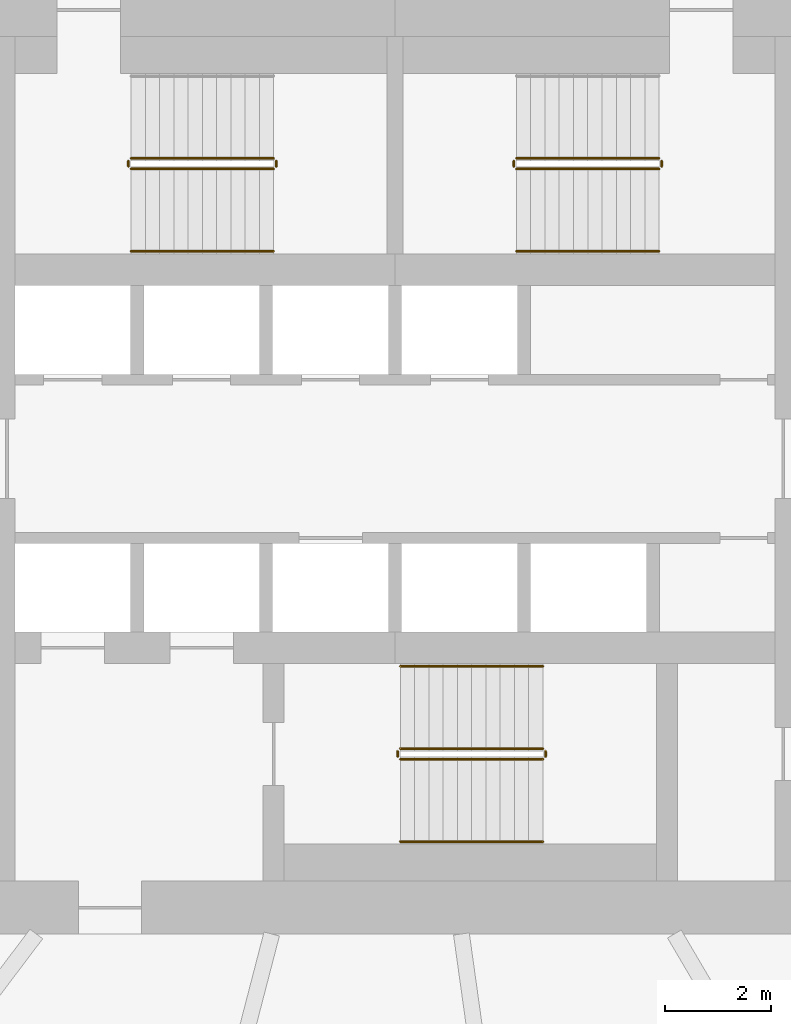
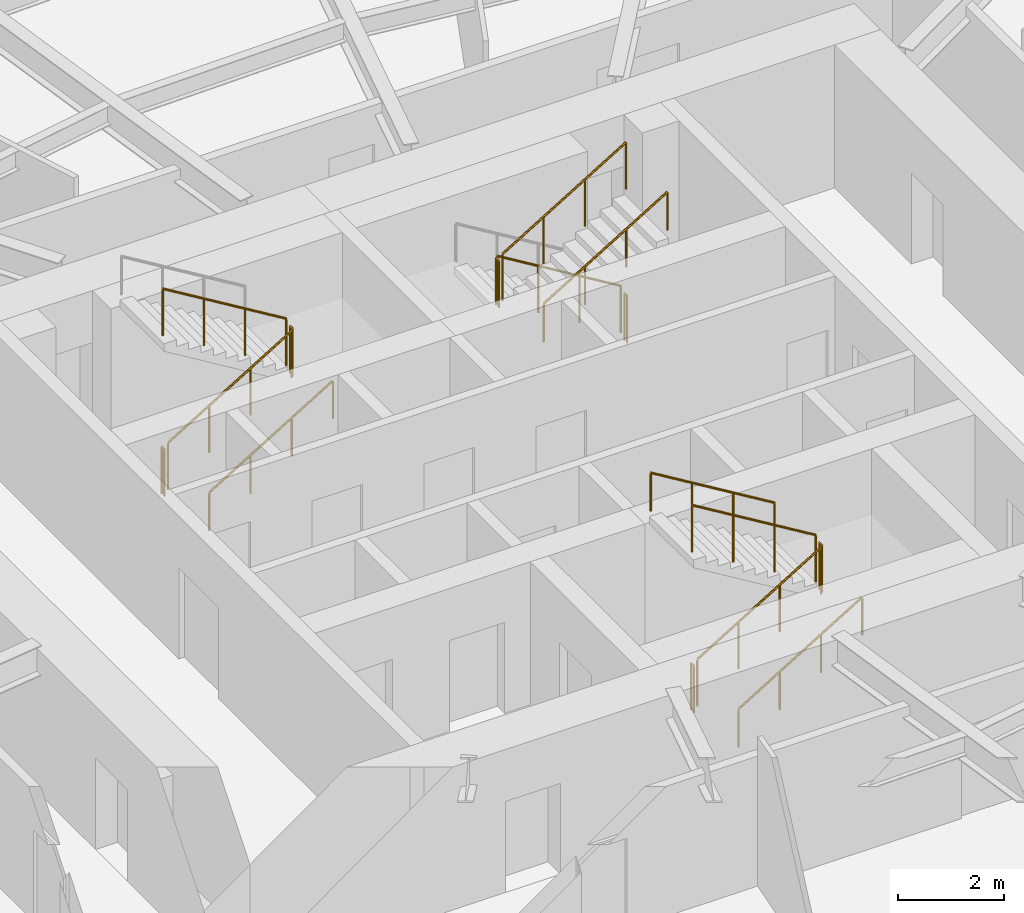
# One storey, part 12 of 14: 16 railings.
"""IFC4 building model written with IfcOpenShell, lengths in metres."""

from ifc_helpers import new_model, si_unit, direction, frame, origin, origin_2d, place, context, subcontext, project, spatial, circle, extrude, material, type_object, element, save


model = new_model("IFC4")

# Units and contexts
model_context = context("Model", 3, precision=1e-05, world=origin(), true_north=direction((0.0, 1.0)))
body_context = subcontext(model_context, "Body", "Model", "MODEL_VIEW")
ifc_project = project(units=[si_unit("LENGTHUNIT", "METRE"), si_unit("AREAUNIT", "SQUARE_METRE"), si_unit("VOLUMEUNIT", "CUBIC_METRE"), si_unit("PLANEANGLEUNIT", "RADIAN"), si_unit("MASSUNIT", "GRAM", prefix="KILO")], contexts=[model_context])

# Site, building, storey
site_placement = place(None, origin())
site = spatial("IfcSite", under=ifc_project, at=site_placement, CompositionType="ELEMENT")
building_placement = place(site_placement, origin())
building = spatial("IfcBuilding", under=site, at=building_placement, Name="Vermilion Reach Broadcast Tower", CompositionType="ELEMENT")
storey_placement = place(building_placement, frame((0.0, 0.0, 106.60009765625)))
storey = spatial("IfcBuildingStorey", under=building, at=storey_placement, Name="L24", CompositionType="ELEMENT", Elevation=106.60009765625)

# Railings
ifc_material_1 = material(Name="Stainless steel", Category="steel")
railing_type_1 = type_object("IfcRailingType", Name="Stair guard 1100", PredefinedType="GUARDRAIL", material=ifc_material_1)
railing_1_placement = place(storey_placement, frame((-11.0, 5.489990234375, 0.16357421875)))
element("IfcRailing", 1, at=railing_1_placement, inside=storey, type_object=railing_type_1, Name="L24 ST1 stair guard 1", PredefinedType="GUARDRAIL", context=body_context, shape_type="SweptSolid", body=[
    extrude(circle(Radius=0.02392578125, at=origin_2d()), frame((0.0, 0.0, 1.076171875), z_axis=(0.855212373127, 0.0, 0.518277721738), x_axis=(0.0, 1.0, 0.0)), (0.0, 0.0, 1.0), 3.156982421875),
    extrude(circle(Radius=0.02099609375, at=origin_2d()), origin(), (0.0, 0.0, 1.0), 1.052001953125),
    extrude(circle(Radius=0.02099609375, at=origin_2d()), frame((0.89990234375, 0.0, 0.54541015625)), (0.0, 0.0, 1.0), 1.052001953125),
    extrude(circle(Radius=0.02099609375, at=origin_2d()), frame((1.800048828125, 0.0, 1.0908203125)), (0.0, 0.0, 1.0), 1.052001953125),
    extrude(circle(Radius=0.02099609375, at=origin_2d()), frame((2.699951171875, 0.0, 1.63623046875)), (0.0, 0.0, 1.0), 1.052001953125),
])
railing_2_placement = place(storey_placement, frame((-8.25, 5.5400390625, 1.7998046875)))
element("IfcRailing", 2, at=railing_2_placement, inside=storey, type_object=railing_type_1, Name="L24 ST1 stair guard 2", PredefinedType="GUARDRAIL", context=body_context, shape_type="SweptSolid", body=[
    extrude(circle(Radius=0.02392578125, at=origin_2d()), frame((0.0, 0.0, 1.076171875), z_axis=(0.0, 1.0, 0.0), x_axis=(-1.0, 0.0, 0.0)), (0.0, 0.0, 1.0), 0.099853515625),
    extrude(circle(Radius=0.02099609375, at=origin_2d()), origin(), (0.0, 0.0, 1.0), 1.052001953125),
    extrude(circle(Radius=0.02099609375, at=origin_2d()), frame((0.0, 0.099853515625, 0.0)), (0.0, 0.0, 1.0), 1.052001953125),
])
railing_3_placement = place(storey_placement, frame((-8.300048828125, 5.68994140625, 1.963623046875)))
element("IfcRailing", 3, at=railing_3_placement, inside=storey, type_object=railing_type_1, Name="L24 ST1 stair guard 3", PredefinedType="GUARDRAIL", context=body_context, shape_type="SweptSolid", body=[
    extrude(circle(Radius=0.02392578125, at=origin_2d()), frame((0.0, 0.0, 1.076171875), z_axis=(-0.855212373127, 0.0, 0.518277721738), x_axis=(0.0, -1.0, 0.0)), (0.0, 0.0, 1.0), 3.156982421875),
    extrude(circle(Radius=0.02099609375, at=origin_2d()), origin(), (0.0, 0.0, 1.0), 1.052001953125),
    extrude(circle(Radius=0.02099609375, at=origin_2d()), frame((-0.89990234375, 0.0, 0.54541015625)), (0.0, 0.0, 1.0), 1.052001953125),
    extrude(circle(Radius=0.02099609375, at=origin_2d()), frame((-1.800048828125, 0.0, 1.0908203125)), (0.0, 0.0, 1.0), 1.052001953125),
    extrude(circle(Radius=0.02099609375, at=origin_2d()), frame((-2.699951171875, 0.0, 1.63623046875)), (0.0, 0.0, 1.0), 1.052001953125),
])
railing_4_placement = place(storey_placement, frame((-11.050048828125, 5.5400390625, 0.0)))
element("IfcRailing", 4, at=railing_4_placement, inside=storey, type_object=railing_type_1, Name="L24 ST1 stair guard 4", PredefinedType="GUARDRAIL", context=body_context, shape_type="SweptSolid", body=[
    extrude(circle(Radius=0.02392578125, at=origin_2d()), frame((0.0, 0.0, 1.076171875), z_axis=(0.0, 1.0, 0.0), x_axis=(-1.0, 0.0, 0.0)), (0.0, 0.0, 1.0), 0.099853515625),
    extrude(circle(Radius=0.02099609375, at=origin_2d()), origin(), (0.0, 0.0, 1.0), 1.052001953125),
    extrude(circle(Radius=0.02099609375, at=origin_2d()), frame((0.0, 0.099853515625, 0.0)), (0.0, 0.0, 1.0), 1.052001953125),
])
railing_5_placement = place(storey_placement, frame((-1.0, 5.68994140625, 0.16357421875)))
element("IfcRailing", 5, at=railing_5_placement, inside=storey, type_object=railing_type_1, Name="L24 ST2 stair guard 1", PredefinedType="GUARDRAIL", context=body_context, shape_type="SweptSolid", body=[
    extrude(circle(Radius=0.02392578125, at=origin_2d()), frame((0.0, 0.0, 1.076171875), z_axis=(-0.855212373127, 0.0, 0.518277721738), x_axis=(0.0, -1.0, 0.0)), (0.0, 0.0, 1.0), 3.156982421875),
    extrude(circle(Radius=0.02099609375, at=origin_2d()), origin(), (0.0, 0.0, 1.0), 1.052001953125),
    extrude(circle(Radius=0.02099609375, at=origin_2d()), frame((-0.89990234375, 0.0, 0.54541015625)), (0.0, 0.0, 1.0), 1.052001953125),
    extrude(circle(Radius=0.02099609375, at=origin_2d()), frame((-1.800048828125, 0.0, 1.0908203125)), (0.0, 0.0, 1.0), 1.052001953125),
    extrude(circle(Radius=0.02099609375, at=origin_2d()), frame((-2.699951171875, 0.0, 1.63623046875)), (0.0, 0.0, 1.0), 1.052001953125),
])
railing_6_placement = place(storey_placement, frame((-3.75, 5.639892578125, 1.7998046875)))
element("IfcRailing", 6, at=railing_6_placement, inside=storey, type_object=railing_type_1, Name="L24 ST2 stair guard 2", PredefinedType="GUARDRAIL", context=body_context, shape_type="SweptSolid", body=[
    extrude(circle(Radius=0.02392578125, at=origin_2d()), frame((0.0, 0.0, 1.076171875), z_axis=(0.0, -1.0, 0.0), x_axis=(1.0, 0.0, 0.0)), (0.0, 0.0, 1.0), 0.099853515625),
    extrude(circle(Radius=0.02099609375, at=origin_2d()), origin(), (0.0, 0.0, 1.0), 1.052001953125),
    extrude(circle(Radius=0.02099609375, at=origin_2d()), frame((0.0, -0.099853515625, 0.0)), (0.0, 0.0, 1.0), 1.052001953125),
])
railing_7_placement = place(storey_placement, frame((-3.699951171875, 5.489990234375, 1.963623046875)))
element("IfcRailing", 7, at=railing_7_placement, inside=storey, type_object=railing_type_1, Name="L24 ST2 stair guard 3", PredefinedType="GUARDRAIL", context=body_context, shape_type="SweptSolid", body=[
    extrude(circle(Radius=0.02392578125, at=origin_2d()), frame((0.0, 0.0, 1.076171875), z_axis=(0.855212373127, 0.0, 0.518277721738), x_axis=(0.0, 1.0, 0.0)), (0.0, 0.0, 1.0), 3.156982421875),
    extrude(circle(Radius=0.02099609375, at=origin_2d()), origin(), (0.0, 0.0, 1.0), 1.052001953125),
    extrude(circle(Radius=0.02099609375, at=origin_2d()), frame((0.89990234375, 0.0, 0.54541015625)), (0.0, 0.0, 1.0), 1.052001953125),
    extrude(circle(Radius=0.02099609375, at=origin_2d()), frame((1.800048828125, 0.0, 1.0908203125)), (0.0, 0.0, 1.0), 1.052001953125),
    extrude(circle(Radius=0.02099609375, at=origin_2d()), frame((2.699951171875, 0.0, 1.63623046875)), (0.0, 0.0, 1.0), 1.052001953125),
])
railing_8_placement = place(storey_placement, frame((-0.949951171875, 5.639892578125, 0.0)))
element("IfcRailing", 8, at=railing_8_placement, inside=storey, type_object=railing_type_1, Name="L24 ST2 stair guard 4", PredefinedType="GUARDRAIL", context=body_context, shape_type="SweptSolid", body=[
    extrude(circle(Radius=0.02392578125, at=origin_2d()), frame((0.0, 0.0, 1.076171875), z_axis=(0.0, -1.0, 0.0), x_axis=(1.0, 0.0, 0.0)), (0.0, 0.0, 1.0), 0.099853515625),
    extrude(circle(Radius=0.02099609375, at=origin_2d()), origin(), (0.0, 0.0, 1.0), 1.052001953125),
    extrude(circle(Radius=0.02099609375, at=origin_2d()), frame((0.0, -0.099853515625, 0.0)), (0.0, 0.0, 1.0), 1.052001953125),
])
railing_9_placement = place(storey_placement, frame((-5.89990234375, -5.68994140625, 0.16357421875)))
element("IfcRailing", 9, at=railing_9_placement, inside=storey, type_object=railing_type_1, Name="L24 ST3 stair guard 1", PredefinedType="GUARDRAIL", context=body_context, shape_type="SweptSolid", body=[
    extrude(circle(Radius=0.02392578125, at=origin_2d()), frame((0.0, 0.0, 1.076171875), z_axis=(0.855212373127, 0.0, 0.518277721738), x_axis=(0.0, 1.0, 0.0)), (0.0, 0.0, 1.0), 3.156982421875),
    extrude(circle(Radius=0.02099609375, at=origin_2d()), origin(), (0.0, 0.0, 1.0), 1.052001953125),
    extrude(circle(Radius=0.02099609375, at=origin_2d()), frame((0.89990234375, 0.0, 0.54541015625)), (0.0, 0.0, 1.0), 1.052001953125),
    extrude(circle(Radius=0.02099609375, at=origin_2d()), frame((1.800048828125, 0.0, 1.0908203125)), (0.0, 0.0, 1.0), 1.052001953125),
    extrude(circle(Radius=0.02099609375, at=origin_2d()), frame((2.699951171875, 0.0, 1.63623046875)), (0.0, 0.0, 1.0), 1.052001953125),
])
railing_10_placement = place(storey_placement, frame((-3.14990234375, -5.639892578125, 1.7998046875)))
element("IfcRailing", 10, at=railing_10_placement, inside=storey, type_object=railing_type_1, Name="L24 ST3 stair guard 2", PredefinedType="GUARDRAIL", context=body_context, shape_type="SweptSolid", body=[
    extrude(circle(Radius=0.02392578125, at=origin_2d()), frame((0.0, 0.0, 1.076171875), z_axis=(0.0, 1.0, 0.0), x_axis=(-1.0, 0.0, 0.0)), (0.0, 0.0, 1.0), 0.099853515625),
    extrude(circle(Radius=0.02099609375, at=origin_2d()), origin(), (0.0, 0.0, 1.0), 1.052001953125),
    extrude(circle(Radius=0.02099609375, at=origin_2d()), frame((0.0, 0.099853515625, 0.0)), (0.0, 0.0, 1.0), 1.052001953125),
])
railing_11_placement = place(storey_placement, frame((-3.199951171875, -5.489990234375, 1.963623046875)))
element("IfcRailing", 11, at=railing_11_placement, inside=storey, type_object=railing_type_1, Name="L24 ST3 stair guard 3", PredefinedType="GUARDRAIL", context=body_context, shape_type="SweptSolid", body=[
    extrude(circle(Radius=0.02392578125, at=origin_2d()), frame((0.0, 0.0, 1.076171875), z_axis=(-0.855212373127, 0.0, 0.518277721738), x_axis=(0.0, -1.0, 0.0)), (0.0, 0.0, 1.0), 3.156982421875),
    extrude(circle(Radius=0.02099609375, at=origin_2d()), origin(), (0.0, 0.0, 1.0), 1.052001953125),
    extrude(circle(Radius=0.02099609375, at=origin_2d()), frame((-0.89990234375, 0.0, 0.54541015625)), (0.0, 0.0, 1.0), 1.052001953125),
    extrude(circle(Radius=0.02099609375, at=origin_2d()), frame((-1.800048828125, 0.0, 1.0908203125)), (0.0, 0.0, 1.0), 1.052001953125),
    extrude(circle(Radius=0.02099609375, at=origin_2d()), frame((-2.699951171875, 0.0, 1.63623046875)), (0.0, 0.0, 1.0), 1.052001953125),
])
railing_12_placement = place(storey_placement, frame((-5.949951171875, -5.639892578125, 0.0)))
element("IfcRailing", 12, at=railing_12_placement, inside=storey, type_object=railing_type_1, Name="L24 ST3 stair guard 4", PredefinedType="GUARDRAIL", context=body_context, shape_type="SweptSolid", body=[
    extrude(circle(Radius=0.02392578125, at=origin_2d()), frame((0.0, 0.0, 1.076171875), z_axis=(0.0, 1.0, 0.0), x_axis=(-1.0, 0.0, 0.0)), (0.0, 0.0, 1.0), 0.099853515625),
    extrude(circle(Radius=0.02099609375, at=origin_2d()), origin(), (0.0, 0.0, 1.0), 1.052001953125),
    extrude(circle(Radius=0.02099609375, at=origin_2d()), frame((0.0, 0.099853515625, 0.0)), (0.0, 0.0, 1.0), 1.052001953125),
])
ifc_material_2 = material(Name="Stainless steel", Category="steel")
railing_type_2 = type_object("IfcRailingType", Name="Stair handrail", PredefinedType="HANDRAIL", material=ifc_material_2)
for number, where, name in (
    (13, (-11.0, 3.929931640625, 0.16357421875), "L24 ST1 stair handrail 1"),
    (14, (-3.699951171875, 3.929931640625, 1.963623046875), "L24 ST2 stair handrail 2"),
    (15, (-5.89990234375, -7.25, 0.16357421875), "L24 ST3 stair handrail 1"),
):
    element("IfcRailing", number, at=place(storey_placement, frame(where)), inside=storey, type_object=railing_type_2, Name=name, PredefinedType="HANDRAIL", context=body_context, shape_type="SweptSolid", body=[
        extrude(circle(Radius=0.02392578125, at=origin_2d()), frame((0.0, 0.0, 0.8759765625), z_axis=(0.855212373127, 0.0, 0.518277721738), x_axis=(0.0, 1.0, 0.0)), (0.0, 0.0, 1.0), 3.156982421875),
        extrude(circle(Radius=0.02099609375, at=origin_2d()), origin(), (0.0, 0.0, 1.0), 0.851806640625),
        extrude(circle(Radius=0.02099609375, at=origin_2d()), frame((0.89990234375, 0.0, 0.54541015625)), (0.0, 0.0, 1.0), 0.851806640625),
        extrude(circle(Radius=0.02099609375, at=origin_2d()), frame((1.800048828125, 0.0, 1.0908203125)), (0.0, 0.0, 1.0), 0.851806640625),
        extrude(circle(Radius=0.02099609375, at=origin_2d()), frame((2.699951171875, 0.0, 1.63623046875)), (0.0, 0.0, 1.0), 0.851806640625),
    ])
railing_13_placement = place(storey_placement, frame((-3.199951171875, -3.929931640625, 1.963623046875)))
element("IfcRailing", 16, at=railing_13_placement, inside=storey, type_object=railing_type_2, Name="L24 ST3 stair handrail 2", PredefinedType="HANDRAIL", context=body_context, shape_type="SweptSolid", body=[
    extrude(circle(Radius=0.02392578125, at=origin_2d()), frame((0.0, 0.0, 0.8759765625), z_axis=(-0.855212373127, 0.0, 0.518277721738), x_axis=(0.0, -1.0, 0.0)), (0.0, 0.0, 1.0), 3.156982421875),
    extrude(circle(Radius=0.02099609375, at=origin_2d()), origin(), (0.0, 0.0, 1.0), 0.851806640625),
    extrude(circle(Radius=0.02099609375, at=origin_2d()), frame((-0.89990234375, 0.0, 0.54541015625)), (0.0, 0.0, 1.0), 0.851806640625),
    extrude(circle(Radius=0.02099609375, at=origin_2d()), frame((-1.800048828125, 0.0, 1.0908203125)), (0.0, 0.0, 1.0), 0.851806640625),
    extrude(circle(Radius=0.02099609375, at=origin_2d()), frame((-2.699951171875, 0.0, 1.63623046875)), (0.0, 0.0, 1.0), 0.851806640625),
])

save(model, "model.ifc")
